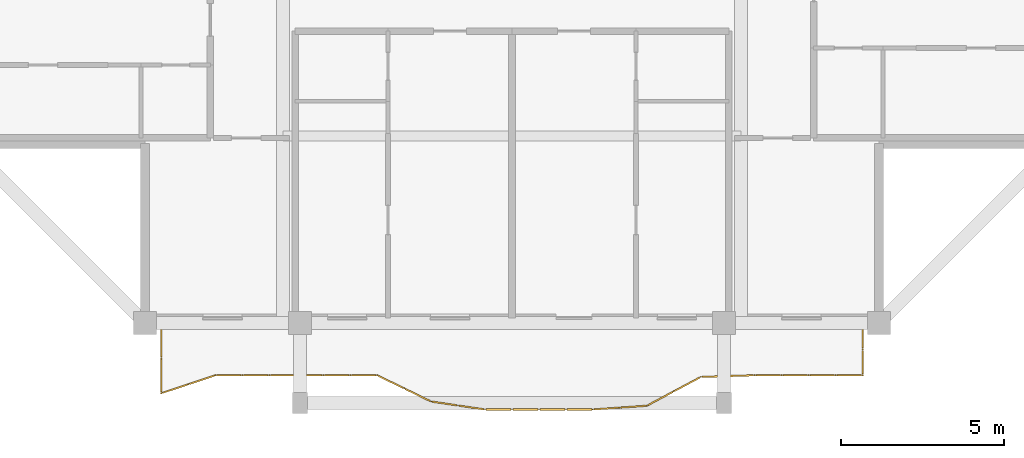
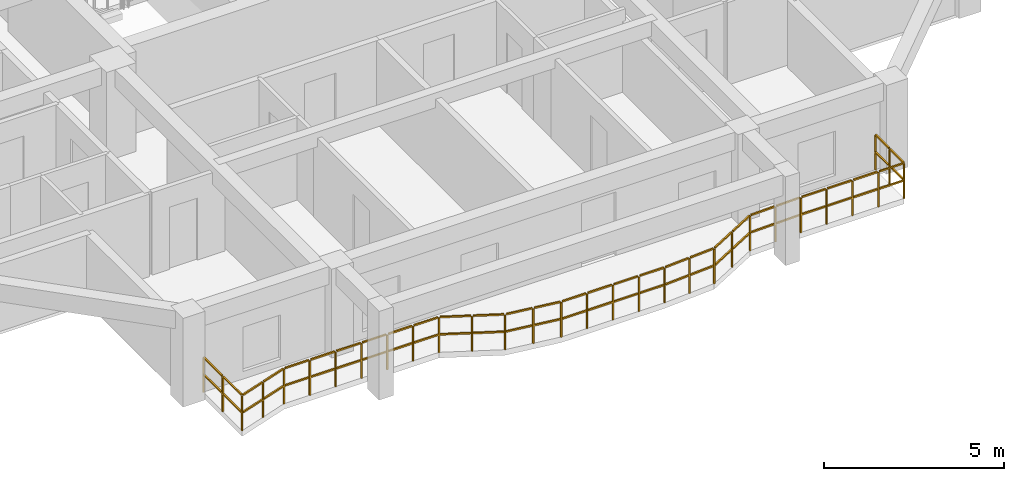
# One storey, part 10 of 14: 1 railing.
"""IFC4 building model written with IfcOpenShell, lengths in metres."""

from ifc_helpers import new_model, si_unit, direction, frame, origin, origin_2d, place, context, subcontext, project, spatial, rectangle, extrude, material, type_object, element, save


model = new_model("IFC4")

# Units and contexts
model_context = context("Model", 3, precision=1e-05, world=origin(), true_north=direction((0.0, 1.0)))
body_context = subcontext(model_context, "Body", "Model", "MODEL_VIEW")
ifc_project = project(units=[si_unit("LENGTHUNIT", "METRE"), si_unit("AREAUNIT", "SQUARE_METRE"), si_unit("VOLUMEUNIT", "CUBIC_METRE"), si_unit("PLANEANGLEUNIT", "RADIAN"), si_unit("MASSUNIT", "GRAM", prefix="KILO")], contexts=[model_context])

# Site, building, storey
site_placement = place(None, origin())
site = spatial("IfcSite", under=ifc_project, at=site_placement, CompositionType="ELEMENT")
building_placement = place(site_placement, origin())
building = spatial("IfcBuilding", under=site, at=building_placement, Name="Saelheon Loggia Tower", CompositionType="ELEMENT")
storey_placement = place(building_placement, frame((0.0, 0.0, 233.10009765625)))
storey = spatial("IfcBuildingStorey", under=building, at=storey_placement, Name="L72", CompositionType="ELEMENT", Elevation=233.10009765625)

# Railing
ifc_material = material(Name="Architectural Precast Concrete and Laminated Glass Guard", Category="concrete")
railing_type = type_object("IfcRailingType", Name="Guard_Loggia_RL_LOG", PredefinedType="BALUSTRADE", material=ifc_material)
railing_placement = place(storey_placement, frame((27.25, 6.0, 0.0)))
element("IfcRailing", 1, at=railing_placement, inside=storey, type_object=railing_type, Name="L72 South Loggia Balustrade", PredefinedType="BALUSTRADE", context=body_context, shape_type="SweptSolid", body=[
    extrude(rectangle(XDim=0.048095703125, YDim=0.048095703125, at=origin_2d()), frame((0.0, -0.033203125, 1.19580078125), z_axis=(0.0, -1.0, 0.0), x_axis=(1.0, 0.0, 0.0)), (0.0, 0.0, 1.0), 1.008544921875),
    extrude(rectangle(XDim=0.048095703125, YDim=0.048095703125, at=origin_2d()), frame((0.0, -0.033203125, 0.60986328125), z_axis=(0.0, -1.0, 0.0), x_axis=(1.0, 0.0, 0.0)), (0.0, 0.0, 1.0), 1.008544921875),
    extrude(rectangle(XDim=0.048095703125, YDim=0.048095703125, at=origin_2d()), frame((0.0, -1.108154296875, 1.19580078125), z_axis=(0.0, -1.0, 0.0), x_axis=(1.0, 0.0, 0.0)), (0.0, 0.0, 1.0), 1.008544921875),
    extrude(rectangle(XDim=0.048095703125, YDim=0.048095703125, at=origin_2d()), frame((0.0, -1.108154296875, 0.60986328125), z_axis=(0.0, -1.0, 0.0), x_axis=(1.0, 0.0, 0.0)), (0.0, 0.0, 1.0), 1.008544921875),
    extrude(rectangle(XDim=0.048095703125, YDim=0.048095703125, at=origin_2d()), frame((0.031494140625, -2.139404296875, 1.19580078125), z_axis=(0.948935149289, 0.315471206997, 0.0), x_axis=(-0.315471206997, 0.948935149289, 0.0)), (0.0, 0.0, 1.0), 0.804931640625),
    extrude(rectangle(XDim=0.048095703125, YDim=0.048095703125, at=origin_2d()), frame((0.031494140625, -2.139404296875, 0.60986328125), z_axis=(0.948935149289, 0.315471206997, 0.0), x_axis=(-0.315471206997, 0.948935149289, 0.0)), (0.0, 0.0, 1.0), 0.804931640625),
    extrude(rectangle(XDim=0.048095703125, YDim=0.048095703125, at=origin_2d()), frame((0.8583984375, -1.864501953125, 1.19580078125), z_axis=(0.948935149289, 0.315471206997, 0.0), x_axis=(-0.315471206997, 0.948935149289, 0.0)), (0.0, 0.0, 1.0), 0.804931640625),
    extrude(rectangle(XDim=0.048095703125, YDim=0.048095703125, at=origin_2d()), frame((0.8583984375, -1.864501953125, 0.60986328125), z_axis=(0.948935149289, 0.315471206997, 0.0), x_axis=(-0.315471206997, 0.948935149289, 0.0)), (0.0, 0.0, 1.0), 0.804931640625),
    extrude(rectangle(XDim=0.048095703125, YDim=0.048095703125, at=origin_2d()), frame((1.68701171875, -1.60009765625, 1.19580078125), z_axis=(1.0, 0.0, 0.0), x_axis=(0.0, 1.0, 0.0)), (0.0, 0.0, 1.0), 0.760498046875),
    extrude(rectangle(XDim=0.048095703125, YDim=0.048095703125, at=origin_2d()), frame((1.68701171875, -1.60009765625, 0.60986328125), z_axis=(1.0, 0.0, 0.0), x_axis=(0.0, 1.0, 0.0)), (0.0, 0.0, 1.0), 0.760498046875),
    extrude(rectangle(XDim=0.048095703125, YDim=0.048095703125, at=origin_2d()), frame((2.513916015625, -1.60009765625, 1.19580078125), z_axis=(1.0, 0.0, 0.0), x_axis=(0.0, 1.0, 0.0)), (0.0, 0.0, 1.0), 0.760498046875),
    extrude(rectangle(XDim=0.048095703125, YDim=0.048095703125, at=origin_2d()), frame((2.513916015625, -1.60009765625, 0.60986328125), z_axis=(1.0, 0.0, 0.0), x_axis=(0.0, 1.0, 0.0)), (0.0, 0.0, 1.0), 0.760498046875),
    extrude(rectangle(XDim=0.048095703125, YDim=0.048095703125, at=origin_2d()), frame((3.3408203125, -1.60009765625, 1.19580078125), z_axis=(1.0, 0.0, 0.0), x_axis=(0.0, 1.0, 0.0)), (0.0, 0.0, 1.0), 0.760498046875),
    extrude(rectangle(XDim=0.048095703125, YDim=0.048095703125, at=origin_2d()), frame((3.3408203125, -1.60009765625, 0.60986328125), z_axis=(1.0, 0.0, 0.0), x_axis=(0.0, 1.0, 0.0)), (0.0, 0.0, 1.0), 0.760498046875),
    extrude(rectangle(XDim=0.048095703125, YDim=0.048095703125, at=origin_2d()), frame((4.167724609375, -1.60009765625, 1.19580078125), z_axis=(1.0, 0.0, 0.0), x_axis=(0.0, 1.0, 0.0)), (0.0, 0.0, 1.0), 0.760498046875),
    extrude(rectangle(XDim=0.048095703125, YDim=0.048095703125, at=origin_2d()), frame((4.167724609375, -1.60009765625, 0.60986328125), z_axis=(1.0, 0.0, 0.0), x_axis=(0.0, 1.0, 0.0)), (0.0, 0.0, 1.0), 0.760498046875),
    extrude(rectangle(XDim=0.048095703125, YDim=0.048095703125, at=origin_2d()), frame((4.99462890625, -1.60009765625, 1.19580078125), z_axis=(1.0, 0.0, 0.0), x_axis=(0.0, 1.0, 0.0)), (0.0, 0.0, 1.0), 0.760498046875),
    extrude(rectangle(XDim=0.048095703125, YDim=0.048095703125, at=origin_2d()), frame((4.99462890625, -1.60009765625, 0.60986328125), z_axis=(1.0, 0.0, 0.0), x_axis=(0.0, 1.0, 0.0)), (0.0, 0.0, 1.0), 0.760498046875),
    extrude(rectangle(XDim=0.048095703125, YDim=0.048095703125, at=origin_2d()), frame((5.82177734375, -1.60009765625, 1.19580078125), z_axis=(1.0, 0.0, 0.0), x_axis=(0.0, 1.0, 0.0)), (0.0, 0.0, 1.0), 0.760498046875),
    extrude(rectangle(XDim=0.048095703125, YDim=0.048095703125, at=origin_2d()), frame((5.82177734375, -1.60009765625, 0.60986328125), z_axis=(1.0, 0.0, 0.0), x_axis=(0.0, 1.0, 0.0)), (0.0, 0.0, 1.0), 0.760498046875),
    extrude(rectangle(XDim=0.048095703125, YDim=0.048095703125, at=origin_2d()), frame((6.645263671875, -1.614501953125, 1.19580078125), z_axis=(0.899467899067, -0.436986840246, 0.0), x_axis=(0.436986840246, 0.899467899067, 0.0)), (0.0, 0.0, 1.0), 0.852783203125),
    extrude(rectangle(XDim=0.048095703125, YDim=0.048095703125, at=origin_2d()), frame((6.645263671875, -1.614501953125, 0.60986328125), z_axis=(0.899467899067, -0.436986840246, 0.0), x_axis=(0.436986840246, 0.899467899067, 0.0)), (0.0, 0.0, 1.0), 0.852783203125),
    extrude(rectangle(XDim=0.048095703125, YDim=0.048095703125, at=origin_2d()), frame((7.47216796875, -2.016357421875, 1.19580078125), z_axis=(0.899467899067, -0.436986840246, 0.0), x_axis=(0.436986840246, 0.899467899067, 0.0)), (0.0, 0.0, 1.0), 0.852783203125),
    extrude(rectangle(XDim=0.048095703125, YDim=0.048095703125, at=origin_2d()), frame((7.47216796875, -2.016357421875, 0.60986328125), z_axis=(0.899467899067, -0.436986840246, 0.0), x_axis=(0.436986840246, 0.899467899067, 0.0)), (0.0, 0.0, 1.0), 0.852783203125),
    extrude(rectangle(XDim=0.048095703125, YDim=0.048095703125, at=origin_2d()), frame((8.30224609375, -2.408447265625, 1.19580078125), z_axis=(0.989087914508, -0.147326499223, 0.0), x_axis=(0.147326499223, 0.989087914508, 0.0)), (0.0, 0.0, 1.0), 0.76953125),
    extrude(rectangle(XDim=0.048095703125, YDim=0.048095703125, at=origin_2d()), frame((8.30224609375, -2.408447265625, 0.60986328125), z_axis=(0.989087914508, -0.147326499223, 0.0), x_axis=(0.147326499223, 0.989087914508, 0.0)), (0.0, 0.0, 1.0), 0.76953125),
    extrude(rectangle(XDim=0.048095703125, YDim=0.048095703125, at=origin_2d()), frame((9.129150390625, -2.53173828125, 1.19580078125), z_axis=(0.989087914508, -0.147326499223, 0.0), x_axis=(0.147326499223, 0.989087914508, 0.0)), (0.0, 0.0, 1.0), 0.76953125),
    extrude(rectangle(XDim=0.048095703125, YDim=0.048095703125, at=origin_2d()), frame((9.129150390625, -2.53173828125, 0.60986328125), z_axis=(0.989087914508, -0.147326499223, 0.0), x_axis=(0.147326499223, 0.989087914508, 0.0)), (0.0, 0.0, 1.0), 0.76953125),
    extrude(rectangle(XDim=0.048095703125, YDim=0.048095703125, at=origin_2d()), frame((9.956298828125, -2.64990234375, 1.19580078125), z_axis=(1.0, 0.0, 0.0), x_axis=(0.0, 1.0, 0.0)), (0.0, 0.0, 1.0), 0.760498046875),
    extrude(rectangle(XDim=0.048095703125, YDim=0.048095703125, at=origin_2d()), frame((9.956298828125, -2.64990234375, 0.60986328125), z_axis=(1.0, 0.0, 0.0), x_axis=(0.0, 1.0, 0.0)), (0.0, 0.0, 1.0), 0.760498046875),
    extrude(rectangle(XDim=0.048095703125, YDim=0.048095703125, at=origin_2d()), frame((10.783203125, -2.64990234375, 1.19580078125), z_axis=(1.0, 0.0, 0.0), x_axis=(0.0, 1.0, 0.0)), (0.0, 0.0, 1.0), 0.760498046875),
    extrude(rectangle(XDim=0.048095703125, YDim=0.048095703125, at=origin_2d()), frame((10.783203125, -2.64990234375, 0.60986328125), z_axis=(1.0, 0.0, 0.0), x_axis=(0.0, 1.0, 0.0)), (0.0, 0.0, 1.0), 0.760498046875),
    extrude(rectangle(XDim=0.048095703125, YDim=0.048095703125, at=origin_2d()), frame((11.610107421875, -2.64990234375, 1.19580078125), z_axis=(1.0, 0.0, 0.0), x_axis=(0.0, 1.0, 0.0)), (0.0, 0.0, 1.0), 0.760498046875),
    extrude(rectangle(XDim=0.048095703125, YDim=0.048095703125, at=origin_2d()), frame((11.610107421875, -2.64990234375, 0.60986328125), z_axis=(1.0, 0.0, 0.0), x_axis=(0.0, 1.0, 0.0)), (0.0, 0.0, 1.0), 0.760498046875),
    extrude(rectangle(XDim=0.048095703125, YDim=0.048095703125, at=origin_2d()), frame((12.43701171875, -2.64990234375, 1.19580078125), z_axis=(1.0, 0.0, 0.0), x_axis=(0.0, 1.0, 0.0)), (0.0, 0.0, 1.0), 0.760498046875),
    extrude(rectangle(XDim=0.048095703125, YDim=0.048095703125, at=origin_2d()), frame((12.43701171875, -2.64990234375, 0.60986328125), z_axis=(1.0, 0.0, 0.0), x_axis=(0.0, 1.0, 0.0)), (0.0, 0.0, 1.0), 0.760498046875),
    extrude(rectangle(XDim=0.048095703125, YDim=0.048095703125, at=origin_2d()), frame((13.263916015625, -2.6474609375, 1.19580078125), z_axis=(0.997540262026, 0.070095831816, 0.0), x_axis=(-0.070095831816, 0.997540262026, 0.0)), (0.0, 0.0, 1.0), 0.762451171875),
    extrude(rectangle(XDim=0.048095703125, YDim=0.048095703125, at=origin_2d()), frame((13.263916015625, -2.6474609375, 0.60986328125), z_axis=(0.997540262026, 0.070095831816, 0.0), x_axis=(-0.070095831816, 0.997540262026, 0.0)), (0.0, 0.0, 1.0), 0.762451171875),
    extrude(rectangle(XDim=0.048095703125, YDim=0.048095703125, at=origin_2d()), frame((14.0908203125, -2.58935546875, 1.19580078125), z_axis=(0.997540262026, 0.070095831816, 0.0), x_axis=(-0.070095831816, 0.997540262026, 0.0)), (0.0, 0.0, 1.0), 0.762451171875),
    extrude(rectangle(XDim=0.048095703125, YDim=0.048095703125, at=origin_2d()), frame((14.0908203125, -2.58935546875, 0.60986328125), z_axis=(0.997540262026, 0.070095831816, 0.0), x_axis=(-0.070095831816, 0.997540262026, 0.0)), (0.0, 0.0, 1.0), 0.762451171875),
    extrude(rectangle(XDim=0.048095703125, YDim=0.048095703125, at=origin_2d()), frame((14.913818359375, -2.51806640625, 1.19580078125), z_axis=(0.882425040015, 0.470453025024, 0.0), x_axis=(-0.470453025024, 0.882425040015, 0.0)), (0.0, 0.0, 1.0), 0.870849609375),
    extrude(rectangle(XDim=0.048095703125, YDim=0.048095703125, at=origin_2d()), frame((14.913818359375, -2.51806640625, 0.60986328125), z_axis=(0.882425040015, 0.470453025024, 0.0), x_axis=(-0.470453025024, 0.882425040015, 0.0)), (0.0, 0.0, 1.0), 0.870849609375),
    extrude(rectangle(XDim=0.048095703125, YDim=0.048095703125, at=origin_2d()), frame((15.740966796875, -2.0771484375, 1.19580078125), z_axis=(0.882425040015, 0.470453025024, 0.0), x_axis=(-0.470453025024, 0.882425040015, 0.0)), (0.0, 0.0, 1.0), 0.870849609375),
    extrude(rectangle(XDim=0.048095703125, YDim=0.048095703125, at=origin_2d()), frame((15.740966796875, -2.0771484375, 0.60986328125), z_axis=(0.882425040015, 0.470453025024, 0.0), x_axis=(-0.470453025024, 0.882425040015, 0.0)), (0.0, 0.0, 1.0), 0.870849609375),
    extrude(rectangle(XDim=0.048095703125, YDim=0.048095703125, at=origin_2d()), frame((16.57177734375, -1.65087890625, 1.19580078125), z_axis=(0.999510635503, 0.031280817054, 0.0), x_axis=(-0.031280817054, 0.999510635503, 0.0)), (0.0, 0.0, 1.0), 0.7607421875),
    extrude(rectangle(XDim=0.048095703125, YDim=0.048095703125, at=origin_2d()), frame((16.57177734375, -1.65087890625, 0.60986328125), z_axis=(0.999510635503, 0.031280817054, 0.0), x_axis=(-0.031280817054, 0.999510635503, 0.0)), (0.0, 0.0, 1.0), 0.7607421875),
    extrude(rectangle(XDim=0.048095703125, YDim=0.048095703125, at=origin_2d()), frame((17.398681640625, -1.625, 1.19580078125), z_axis=(0.999510635503, 0.031280817054, 0.0), x_axis=(-0.031280817054, 0.999510635503, 0.0)), (0.0, 0.0, 1.0), 0.7607421875),
    extrude(rectangle(XDim=0.048095703125, YDim=0.048095703125, at=origin_2d()), frame((17.398681640625, -1.625, 0.60986328125), z_axis=(0.999510635503, 0.031280817054, 0.0), x_axis=(-0.031280817054, 0.999510635503, 0.0)), (0.0, 0.0, 1.0), 0.7607421875),
    extrude(rectangle(XDim=0.048095703125, YDim=0.048095703125, at=origin_2d()), frame((18.2255859375, -1.60009765625, 1.19580078125), z_axis=(1.0, 0.0, 0.0), x_axis=(0.0, 1.0, 0.0)), (0.0, 0.0, 1.0), 0.760498046875),
    extrude(rectangle(XDim=0.048095703125, YDim=0.048095703125, at=origin_2d()), frame((18.2255859375, -1.60009765625, 0.60986328125), z_axis=(1.0, 0.0, 0.0), x_axis=(0.0, 1.0, 0.0)), (0.0, 0.0, 1.0), 0.760498046875),
    extrude(rectangle(XDim=0.048095703125, YDim=0.048095703125, at=origin_2d()), frame((19.052490234375, -1.60009765625, 1.19580078125), z_axis=(1.0, 0.0, 0.0), x_axis=(0.0, 1.0, 0.0)), (0.0, 0.0, 1.0), 0.760498046875),
    extrude(rectangle(XDim=0.048095703125, YDim=0.048095703125, at=origin_2d()), frame((19.052490234375, -1.60009765625, 0.60986328125), z_axis=(1.0, 0.0, 0.0), x_axis=(0.0, 1.0, 0.0)), (0.0, 0.0, 1.0), 0.760498046875),
    extrude(rectangle(XDim=0.048095703125, YDim=0.048095703125, at=origin_2d()), frame((19.87939453125, -1.60009765625, 1.19580078125), z_axis=(1.0, 0.0, 0.0), x_axis=(0.0, 1.0, 0.0)), (0.0, 0.0, 1.0), 0.760498046875),
    extrude(rectangle(XDim=0.048095703125, YDim=0.048095703125, at=origin_2d()), frame((19.87939453125, -1.60009765625, 0.60986328125), z_axis=(1.0, 0.0, 0.0), x_axis=(0.0, 1.0, 0.0)), (0.0, 0.0, 1.0), 0.760498046875),
    extrude(rectangle(XDim=0.048095703125, YDim=0.048095703125, at=origin_2d()), frame((20.706298828125, -1.60009765625, 1.19580078125), z_axis=(1.0, 0.0, 0.0), x_axis=(0.0, 1.0, 0.0)), (0.0, 0.0, 1.0), 0.760498046875),
    extrude(rectangle(XDim=0.048095703125, YDim=0.048095703125, at=origin_2d()), frame((20.706298828125, -1.60009765625, 0.60986328125), z_axis=(1.0, 0.0, 0.0), x_axis=(0.0, 1.0, 0.0)), (0.0, 0.0, 1.0), 0.760498046875),
    extrude(rectangle(XDim=0.048095703125, YDim=0.048095703125, at=origin_2d()), frame((21.5, -1.56689453125, 1.19580078125), z_axis=(0.0, 1.0, 0.0), x_axis=(-1.0, 0.0, 0.0)), (0.0, 0.0, 1.0), 0.733642578125),
    extrude(rectangle(XDim=0.048095703125, YDim=0.048095703125, at=origin_2d()), frame((21.5, -1.56689453125, 0.60986328125), z_axis=(0.0, 1.0, 0.0), x_axis=(-1.0, 0.0, 0.0)), (0.0, 0.0, 1.0), 0.733642578125),
    extrude(rectangle(XDim=0.048095703125, YDim=0.048095703125, at=origin_2d()), frame((21.5, -0.766845703125, 1.19580078125), z_axis=(0.0, 1.0, 0.0), x_axis=(-1.0, 0.0, 0.0)), (0.0, 0.0, 1.0), 0.733642578125),
    extrude(rectangle(XDim=0.048095703125, YDim=0.048095703125, at=origin_2d()), frame((21.5, -0.766845703125, 0.60986328125), z_axis=(0.0, 1.0, 0.0), x_axis=(-1.0, 0.0, 0.0)), (0.0, 0.0, 1.0), 0.733642578125),
    extrude(rectangle(XDim=0.0419921875, YDim=0.0419921875, at=origin_2d()), origin(), (0.0, 0.0, 1.0), 1.16796875),
    extrude(rectangle(XDim=0.0419921875, YDim=0.0419921875, at=origin_2d()), frame((0.0, -1.074951171875, 0.0)), (0.0, 0.0, 1.0), 1.16796875),
    extrude(rectangle(XDim=0.0419921875, YDim=0.0419921875, at=origin_2d()), frame((0.0, -2.14990234375, 0.0)), (0.0, 0.0, 1.0), 1.16796875),
    extrude(rectangle(XDim=0.0419921875, YDim=0.0419921875, at=origin_2d()), frame((0.826904296875, -1.875, 0.0)), (0.0, 0.0, 1.0), 1.16796875),
    extrude(rectangle(XDim=0.0419921875, YDim=0.0419921875, at=origin_2d()), frame((1.65380859375, -1.60009765625, 0.0)), (0.0, 0.0, 1.0), 1.16796875),
    extrude(rectangle(XDim=0.0419921875, YDim=0.0419921875, at=origin_2d()), frame((2.480712890625, -1.60009765625, 0.0)), (0.0, 0.0, 1.0), 1.16796875),
    extrude(rectangle(XDim=0.0419921875, YDim=0.0419921875, at=origin_2d()), frame((3.3076171875, -1.60009765625, 0.0)), (0.0, 0.0, 1.0), 1.16796875),
    extrude(rectangle(XDim=0.0419921875, YDim=0.0419921875, at=origin_2d()), frame((4.134521484375, -1.60009765625, 0.0)), (0.0, 0.0, 1.0), 1.16796875),
    extrude(rectangle(XDim=0.0419921875, YDim=0.0419921875, at=origin_2d()), frame((4.96142578125, -1.60009765625, 0.0)), (0.0, 0.0, 1.0), 1.16796875),
    extrude(rectangle(XDim=0.0419921875, YDim=0.0419921875, at=origin_2d()), frame((5.78857421875, -1.60009765625, 0.0)), (0.0, 0.0, 1.0), 1.16796875),
    extrude(rectangle(XDim=0.0419921875, YDim=0.0419921875, at=origin_2d()), frame((6.615478515625, -1.60009765625, 0.0)), (0.0, 0.0, 1.0), 1.16796875),
    extrude(rectangle(XDim=0.0419921875, YDim=0.0419921875, at=origin_2d()), frame((7.4423828125, -2.001953125, 0.0)), (0.0, 0.0, 1.0), 1.16796875),
    extrude(rectangle(XDim=0.0419921875, YDim=0.0419921875, at=origin_2d()), frame((8.269287109375, -2.403564453125, 0.0)), (0.0, 0.0, 1.0), 1.16796875),
    extrude(rectangle(XDim=0.0419921875, YDim=0.0419921875, at=origin_2d()), frame((9.09619140625, -2.52685546875, 0.0)), (0.0, 0.0, 1.0), 1.16796875),
    extrude(rectangle(XDim=0.0419921875, YDim=0.0419921875, at=origin_2d()), frame((9.923095703125, -2.64990234375, 0.0)), (0.0, 0.0, 1.0), 1.16796875),
    extrude(rectangle(XDim=0.0419921875, YDim=0.0419921875, at=origin_2d()), frame((10.75, -2.64990234375, 0.0)), (0.0, 0.0, 1.0), 1.16796875),
    extrude(rectangle(XDim=0.0419921875, YDim=0.0419921875, at=origin_2d()), frame((11.576904296875, -2.64990234375, 0.0)), (0.0, 0.0, 1.0), 1.16796875),
    extrude(rectangle(XDim=0.0419921875, YDim=0.0419921875, at=origin_2d()), frame((12.40380859375, -2.64990234375, 0.0)), (0.0, 0.0, 1.0), 1.16796875),
    extrude(rectangle(XDim=0.0419921875, YDim=0.0419921875, at=origin_2d()), frame((13.230712890625, -2.64990234375, 0.0)), (0.0, 0.0, 1.0), 1.16796875),
    extrude(rectangle(XDim=0.0419921875, YDim=0.0419921875, at=origin_2d()), frame((14.0576171875, -2.591796875, 0.0)), (0.0, 0.0, 1.0), 1.16796875),
    extrude(rectangle(XDim=0.0419921875, YDim=0.0419921875, at=origin_2d()), frame((14.884521484375, -2.53369140625, 0.0)), (0.0, 0.0, 1.0), 1.16796875),
    extrude(rectangle(XDim=0.0419921875, YDim=0.0419921875, at=origin_2d()), frame((15.71142578125, -2.0927734375, 0.0)), (0.0, 0.0, 1.0), 1.16796875),
    extrude(rectangle(XDim=0.0419921875, YDim=0.0419921875, at=origin_2d()), frame((16.53857421875, -1.65185546875, 0.0)), (0.0, 0.0, 1.0), 1.16796875),
    extrude(rectangle(XDim=0.0419921875, YDim=0.0419921875, at=origin_2d()), frame((17.365478515625, -1.6259765625, 0.0)), (0.0, 0.0, 1.0), 1.16796875),
    extrude(rectangle(XDim=0.0419921875, YDim=0.0419921875, at=origin_2d()), frame((18.1923828125, -1.60009765625, 0.0)), (0.0, 0.0, 1.0), 1.16796875),
    extrude(rectangle(XDim=0.0419921875, YDim=0.0419921875, at=origin_2d()), frame((19.019287109375, -1.60009765625, 0.0)), (0.0, 0.0, 1.0), 1.16796875),
    extrude(rectangle(XDim=0.0419921875, YDim=0.0419921875, at=origin_2d()), frame((19.84619140625, -1.60009765625, 0.0)), (0.0, 0.0, 1.0), 1.16796875),
    extrude(rectangle(XDim=0.0419921875, YDim=0.0419921875, at=origin_2d()), frame((20.673095703125, -1.60009765625, 0.0)), (0.0, 0.0, 1.0), 1.16796875),
    extrude(rectangle(XDim=0.0419921875, YDim=0.0419921875, at=origin_2d()), frame((21.5, -1.60009765625, 0.0)), (0.0, 0.0, 1.0), 1.16796875),
    extrude(rectangle(XDim=0.0419921875, YDim=0.0419921875, at=origin_2d()), frame((21.5, -0.800048828125, 0.0)), (0.0, 0.0, 1.0), 1.16796875),
    extrude(rectangle(XDim=0.0419921875, YDim=0.0419921875, at=origin_2d()), frame((21.5, 0.0, 0.0)), (0.0, 0.0, 1.0), 1.16796875),
])

save(model, "model.ifc")
